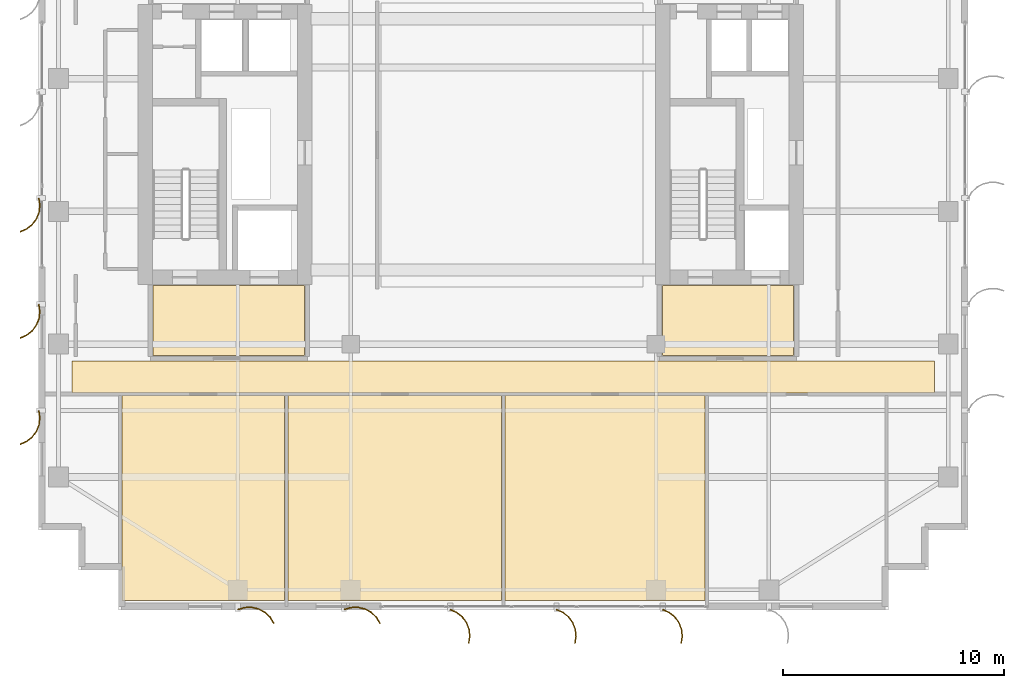
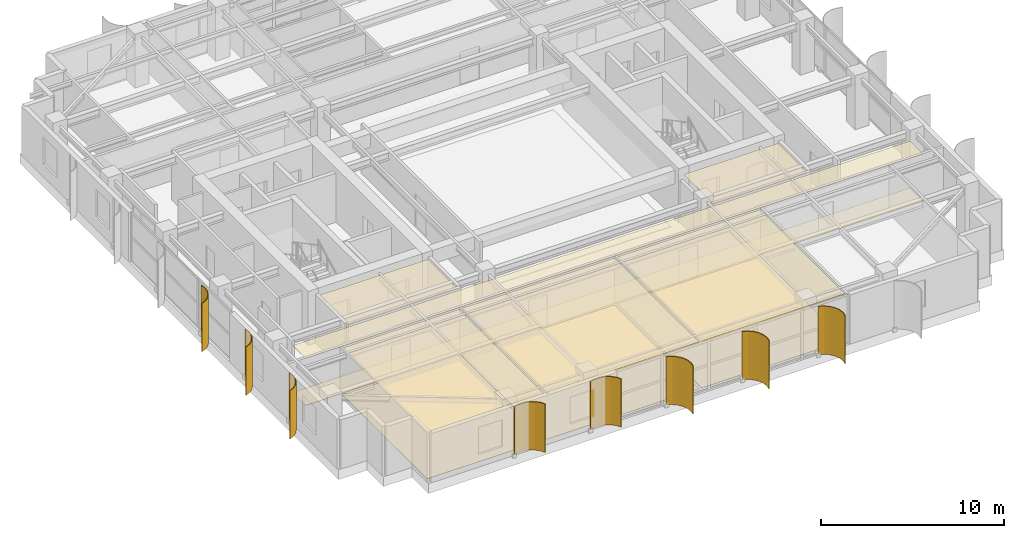
# One storey, part 23 of 25: 10 coverings, 8 shading devices.
"""IFC4 building model written with IfcOpenShell, lengths in metres."""

import ifcopenshell
import ifcopenshell.guid

model = None  # the IFC model being written
_history = None  # IfcOwnerHistory: only IFC2X3 demands one
_inside = {}  # id of a spatial element -> (the spatial element, [elements in it])
_under = {}  # id of a project, library or spatial element -> (it, [spatial elements below it])
_declared = {}  # id of a project -> (the project, [libraries it declares])
_typed = {}  # id of a type object -> (the type object, [elements of that type])
_made_of = {}  # id of a material, layer set ... -> (it, [elements and type objects made of it])


def new_model(schema):
    """Start an empty IFC model of exactly this schema.

    Asked for "IFC4X3", IfcOpenShell would pick the latest addendum, in which some entities
    have other attributes; the version numbers below select the first issue.
    IFC2X3 requires an IfcOwnerHistory on every rooted entity: one is made here for all.
    """
    global model, _history
    if schema == "IFC4X3":
        model = ifcopenshell.file(schema_version=(4, 3, 0, 0))
    else:
        model = ifcopenshell.file(schema=schema)
    _inside.clear()
    _under.clear()
    _declared.clear()
    _typed.clear()
    _made_of.clear()
    _history = None
    if model.schema == "IFC2X3":
        org = make("IfcOrganization", Name="unknown")
        user = make(
            "IfcPersonAndOrganization",
            ThePerson=make("IfcPerson", FamilyName="unknown"),
            TheOrganization=org,
        )
        app = make(
            "IfcApplication",
            ApplicationDeveloper=org,
            Version="unknown",
            ApplicationFullName="unknown",
            ApplicationIdentifier="unknown",
        )
        _history = make(
            "IfcOwnerHistory",
            OwningUser=user,
            OwningApplication=app,
            ChangeAction="ADDED",
            CreationDate=0,
        )
    return model


def make(cls, **values):
    """One entity of the class cls with the attributes given. An attribute that is None is left unset."""
    return model.create_entity(
        cls, **{name: value for name, value in values.items() if value is not None}
    )


def rooted(cls, **values):
    """An entity with a GlobalId (a new one), such as an element, a storey or a relation."""
    return make(cls, GlobalId=ifcopenshell.guid.new(), OwnerHistory=_history, **values)


def si_unit(unit_type, name, prefix=None):
    """IfcSIUnit, for example si_unit("LENGTHUNIT", "METRE", prefix="MILLI")."""
    return make("IfcSIUnit", UnitType=unit_type, Prefix=prefix, Name=name)


def assignment(units):
    """IfcUnitAssignment: the units of a project."""
    return None if units is None else make("IfcUnitAssignment", Units=units)


def point(xyz):
    """IfcCartesianPoint."""
    return None if xyz is None else make("IfcCartesianPoint", Coordinates=xyz)


def direction(xyz):
    """IfcDirection."""
    return None if xyz is None else make("IfcDirection", DirectionRatios=xyz)


def frame(location, z_axis=None, x_axis=None):
    """IfcAxis2Placement3D, a coordinate frame: its origin and axes. An axis left out is left unset."""
    return make(
        "IfcAxis2Placement3D",
        Location=point(location),
        Axis=direction(z_axis),
        RefDirection=direction(x_axis),
    )


def origin():
    """The frame at (0, 0, 0) with its axes left unset."""
    return frame((0.0, 0.0, 0.0))


def place(relative_to, where):
    """IfcLocalPlacement: puts the frame where relative to a parent placement (None: the world)."""
    return make(
        "IfcLocalPlacement", PlacementRelTo=relative_to, RelativePlacement=where
    )


def context(
    kind, dimensions, precision=None, world=None, true_north=None, identifier=None
):
    """IfcGeometricRepresentationContext, for example the 3D "Model" context."""
    return make(
        "IfcGeometricRepresentationContext",
        ContextIdentifier=identifier,
        ContextType=kind,
        CoordinateSpaceDimension=dimensions,
        Precision=precision,
        WorldCoordinateSystem=world,
        TrueNorth=true_north,
    )


def subcontext(parent, identifier, kind, view, scale=None):
    """IfcGeometricRepresentationSubContext, for example "Body" below "Model"."""
    return make(
        "IfcGeometricRepresentationSubContext",
        ContextIdentifier=identifier,
        ContextType=kind,
        ParentContext=parent,
        TargetScale=scale,
        TargetView=view,
    )


def project(units=None, contexts=None):
    """IfcProject with its units and contexts."""
    return rooted(
        "IfcProject",
        Name="project",
        RepresentationContexts=contexts,
        UnitsInContext=assignment(units),
    )


def spatial(cls, under=None, at=None, **own):
    """A site, building, storey or space (cls), placed at a placement, below another one or the project."""
    s = rooted(cls, ObjectPlacement=at, **own)
    if under is not None:
        _under.setdefault(under.id(), (under, []))[1].append(s)
    return s


def polyline(points):
    """IfcPolyline through the points."""
    return make("IfcPolyline", Points=[point(p) for p in points])


def outline(outer, holes=None, kind="AREA"):
    """IfcArbitraryClosedProfileDef: a profile drawn as a closed curve; with holes, ...WithVoids."""
    if holes is None:
        return make("IfcArbitraryClosedProfileDef", ProfileType=kind, OuterCurve=outer)
    return make(
        "IfcArbitraryProfileDefWithVoids",
        ProfileType=kind,
        OuterCurve=outer,
        InnerCurves=holes,
    )


def extrude(swept, where, along, depth):
    """IfcExtrudedAreaSolid: the profile swept, set in the frame where, extruded along a direction by depth."""
    return make(
        "IfcExtrudedAreaSolid",
        SweptArea=swept,
        Position=where,
        ExtrudedDirection=direction(along),
        Depth=depth,
    )


def shape(context_of_items, identifier, shape_type, items):
    """IfcShapeRepresentation: the items that make up one representation, for example the "Body"."""
    return make(
        "IfcShapeRepresentation",
        ContextOfItems=context_of_items,
        RepresentationIdentifier=identifier,
        RepresentationType=shape_type,
        Items=items,
    )


def source(mapping_origin, context_of_items, identifier, shape_type, items):
    """IfcRepresentationMap: a shape defined once, which mapped items show again and again."""
    return make(
        "IfcRepresentationMap",
        MappingOrigin=mapping_origin,
        MappedRepresentation=shape(context_of_items, identifier, shape_type, items),
    )


def transform(
    local_origin,
    x_axis=None,
    y_axis=None,
    z_axis=None,
    scale=None,
    scale2=None,
    scale3=None,
    uniform=True,
):
    """IfcCartesianTransformationOperator3D, or its non-uniform kind. x_axis, y_axis, z_axis: its Axis1, 2, 3."""
    if uniform:
        return make(
            "IfcCartesianTransformationOperator3D",
            Axis1=direction(x_axis),
            Axis2=direction(y_axis),
            LocalOrigin=point(local_origin),
            Scale=scale,
            Axis3=direction(z_axis),
        )
    return make(
        "IfcCartesianTransformationOperator3DnonUniform",
        Axis1=direction(x_axis),
        Axis2=direction(y_axis),
        LocalOrigin=point(local_origin),
        Scale=scale,
        Axis3=direction(z_axis),
        Scale2=scale2,
        Scale3=scale3,
    )


def mapped(mapping_source, mapping_target):
    """IfcMappedItem: shows the shape of a source again, moved by a transform."""
    return make(
        "IfcMappedItem", MappingSource=mapping_source, MappingTarget=mapping_target
    )


def material(Name=None, Category=None):
    """IfcMaterial."""
    return make("IfcMaterial", Name=Name, Category=Category)


def layer(
    of_material, thickness, ventilated=None, Name=None, Category=None, Priority=None
):
    """IfcMaterialLayer: one layer of a wall or slab, of a material (None: an air gap)."""
    return make(
        "IfcMaterialLayer",
        Material=of_material,
        LayerThickness=thickness,
        IsVentilated=ventilated,
        Name=Name,
        Category=Category,
        Priority=Priority,
    )


def layer_set(layers, Name=None):
    """IfcMaterialLayerSet."""
    return make("IfcMaterialLayerSet", MaterialLayers=layers, LayerSetName=Name)


def made_of(thing, what):
    """Note that an element or type object is made of a material, layer set ...; save() writes the relation."""
    if what is not None:
        _made_of.setdefault(what.id(), (what, []))[1].append(thing)
    return thing


def type_object(cls, material=None, **own):
    """A type object (cls), such as IfcWallType, which elements share."""
    return made_of(rooted(cls, **own), material)


def element(
    cls,
    number,
    at=None,
    inside=None,
    cuts=None,
    type_object=None,
    material=None,
    context=None,
    identifier="Body",
    shape_type=None,
    held_by="IfcProductDefinitionShape",
    body=None,
    shapes=None,
    **own,
):
    """One element of the class cls, such as IfcWall. Its Tag is "e" and its number.

    at: its placement. inside: the storey or other place that contains it. cuts: it is an
    opening in that element (IfcRelVoidsElement). A single representation is given by context,
    identifier, shape_type and body (its items); several are given by shapes. held_by: the class
    of the entity that holds the representations. save() writes the other relations.
    """
    e = rooted(cls, Tag="e%d" % number, ObjectPlacement=at, **own)
    if body is not None:
        shapes = [shape(context, identifier, shape_type, body)]
    if shapes is not None:
        e.Representation = make(held_by, Representations=shapes)
    if inside is not None:
        _inside.setdefault(inside.id(), (inside, []))[1].append(e)
    if cuts is not None:
        rooted(
            "IfcRelVoidsElement", RelatingBuildingElement=cuts, RelatedOpeningElement=e
        )
    if type_object is not None:
        _typed.setdefault(type_object.id(), (type_object, []))[1].append(e)
    return made_of(e, material)


def aggregate(whole, parts):
    """IfcRelAggregates: a whole, such as a stair, and the parts it consists of."""
    return rooted("IfcRelAggregates", RelatingObject=whole, RelatedObjects=parts)


def save(model, path):
    """Write the relations noted so far, then the file.

    IfcRelAggregates (storeys below a building ...), IfcRelContainedInSpatialStructure (elements
    in a storey), IfcRelDefinesByType, IfcRelAssociatesMaterial and IfcRelDeclares: one each for
    every whole, place, type object, material and project.
    """
    for whole, parts in _under.values():
        aggregate(whole, parts)
    for where, things in _inside.values():
        rooted(
            "IfcRelContainedInSpatialStructure",
            RelatedElements=things,
            RelatingStructure=where,
        )
    for kind, things in _typed.values():
        rooted("IfcRelDefinesByType", RelatedObjects=things, RelatingType=kind)
    for what, things in _made_of.values():
        rooted("IfcRelAssociatesMaterial", RelatedObjects=things, RelatingMaterial=what)
    for by, libraries in _declared.values():
        rooted("IfcRelDeclares", RelatingContext=by, RelatedDefinitions=libraries)
    model.write(path)


model = new_model("IFC4")

# Units and contexts
model_context = context("Model", 3, precision=1e-05, world=origin(), true_north=direction((0.0, 1.0)))
body_context = subcontext(model_context, "Body", "Model", "MODEL_VIEW")
ifc_project = project(units=[si_unit("LENGTHUNIT", "METRE"), si_unit("AREAUNIT", "SQUARE_METRE"), si_unit("VOLUMEUNIT", "CUBIC_METRE"), si_unit("PLANEANGLEUNIT", "RADIAN"), si_unit("MASSUNIT", "GRAM", prefix="KILO")], contexts=[model_context])

# Site, building, storey
site_placement = place(None, origin())
site = spatial("IfcSite", under=ifc_project, at=site_placement, CompositionType="ELEMENT")
building_placement = place(site_placement, origin())
building = spatial("IfcBuilding", under=site, at=building_placement, Name="Khoralis Quay Care Tower", CompositionType="ELEMENT")
storey_placement = place(building_placement, frame((0.0, 0.0, 216.89990234375)))
storey = spatial("IfcBuildingStorey", under=building, at=storey_placement, Name="L57", CompositionType="ELEMENT", Elevation=216.89990234375)

# Coverings
ifc_material_1 = material(Name="Mineral-fibre acoustic ceiling tile")
ifc_layer_1 = layer(ifc_material_1, 0.01806640625)
ifc_layer_set_1 = layer_set([ifc_layer_1], Name="Mineral-fibre acoustic ceiling tile")
covering_type_1 = type_object("IfcCoveringType", Name="COV-CEIL-AC18", PredefinedType="CEILING", material=ifc_layer_set_1)
covering_1_placement = place(storey_placement, frame((0.0, 0.0, 3.132080078125)))
element("IfcCovering", 1, at=covering_1_placement, inside=storey, type_object=covering_type_1, Name="Suspended Acoustic Ceiling SP-L57-FFLOB-W", PredefinedType="CEILING", context=body_context, shape_type="SweptSolid", body=[
    extrude(outline(polyline([(8.179931640625, 11.47998046875), (15.02001953125, 11.47998046875), (15.02001953125, 14.64990234375), (8.179931640625, 14.64990234375), (8.179931640625, 11.47998046875)])), origin(), (0.0, 0.0, 1.0), 0.01806640625),
])
covering_2_placement = place(storey_placement, frame((0.0, 0.0, 3.132080078125)))
element("IfcCovering", 2, at=covering_2_placement, inside=storey, type_object=covering_type_1, Name="Suspended Acoustic Ceiling SP-L57-FFLOB-E", PredefinedType="CEILING", context=body_context, shape_type="SweptSolid", body=[
    extrude(outline(polyline([(31.179931640625, 11.47998046875), (37.1201171875, 11.47998046875), (37.1201171875, 14.64990234375), (31.179931640625, 14.64990234375), (31.179931640625, 11.47998046875)])), origin(), (0.0, 0.0, 1.0), 0.01806640625),
])
covering_3_placement = place(storey_placement, frame((0.0, 0.0, 3.132080078125)))
element("IfcCovering", 3, at=covering_3_placement, inside=storey, type_object=covering_type_1, Name="Suspended Acoustic Ceiling SP-L57-CORR-MAIN", PredefinedType="CEILING", context=body_context, shape_type="SweptSolid", body=[
    extrude(outline(polyline([(4.52001953125, 9.7900390625), (43.47998046875, 9.7900390625), (43.47998046875, 11.239990234375), (4.52001953125, 11.239990234375), (4.52001953125, 9.7900390625)])), origin(), (0.0, 0.0, 1.0), 0.01806640625),
])
covering_4_placement = place(storey_placement, frame((0.0, 0.0, 3.132080078125)))
element("IfcCovering", 4, at=covering_4_placement, inside=storey, type_object=covering_type_1, Name="Suspended Acoustic Ceiling SP-L57-SB-COM0", PredefinedType="CEILING", context=body_context, shape_type="SweptSolid", body=[
    extrude(outline(polyline([(6.760009765625, 0.419921875), (14.1201171875, 0.419921875), (14.1201171875, 9.669921875), (6.760009765625, 9.669921875), (6.760009765625, 0.419921875)])), origin(), (0.0, 0.0, 1.0), 0.01806640625),
])
covering_5_placement = place(storey_placement, frame((0.0, 0.0, 3.132080078125)))
element("IfcCovering", 5, at=covering_5_placement, inside=storey, type_object=covering_type_1, Name="Suspended Acoustic Ceiling SP-L57-SB-COM1", PredefinedType="CEILING", context=body_context, shape_type="SweptSolid", body=[
    extrude(outline(polyline([(14.280029296875, 0.419921875), (23.919921875, 0.419921875), (23.919921875, 9.669921875), (14.280029296875, 9.669921875), (14.280029296875, 0.419921875)])), origin(), (0.0, 0.0, 1.0), 0.01806640625),
])
covering_6_placement = place(storey_placement, frame((0.0, 0.0, 3.132080078125)))
element("IfcCovering", 6, at=covering_6_placement, inside=storey, type_object=covering_type_1, Name="Suspended Acoustic Ceiling SP-L57-SB-COM2", PredefinedType="CEILING", context=body_context, shape_type="SweptSolid", body=[
    extrude(outline(polyline([(24.080078125, 0.419921875), (33.1201171875, 0.419921875), (33.1201171875, 9.669921875), (24.080078125, 9.669921875), (24.080078125, 0.419921875)])), origin(), (0.0, 0.0, 1.0), 0.01806640625),
])
ifc_material_2 = material(Name="Porcelain and non-slip vinyl flooring")
ifc_layer_2 = layer(ifc_material_2, 0.02001953125)
ifc_layer_set_2 = layer_set([ifc_layer_2], Name="Porcelain and non-slip vinyl flooring")
covering_type_2 = type_object("IfcCoveringType", Name="COV-FLOOR-20", PredefinedType="FLOORING", material=ifc_layer_set_2)
covering_7_placement = place(storey_placement, origin())
element("IfcCovering", 7, at=covering_7_placement, inside=storey, type_object=covering_type_2, Name="Resilient Healthcare Flooring SP-L57-CORR-MAIN", PredefinedType="FLOORING", context=body_context, shape_type="SweptSolid", body=[
    extrude(outline(polyline([(4.52001953125, 9.7900390625), (43.47998046875, 9.7900390625), (43.47998046875, 11.239990234375), (4.52001953125, 11.239990234375), (4.52001953125, 9.7900390625)])), origin(), (0.0, 0.0, 1.0), 0.02001953125),
])
covering_8_placement = place(storey_placement, origin())
element("IfcCovering", 8, at=covering_8_placement, inside=storey, type_object=covering_type_2, Name="Resilient Healthcare Flooring SP-L57-SB-COM0", PredefinedType="FLOORING", context=body_context, shape_type="SweptSolid", body=[
    extrude(outline(polyline([(6.760009765625, 0.419921875), (14.1201171875, 0.419921875), (14.1201171875, 9.669921875), (6.760009765625, 9.669921875), (6.760009765625, 0.419921875)])), origin(), (0.0, 0.0, 1.0), 0.02001953125),
])
covering_9_placement = place(storey_placement, origin())
element("IfcCovering", 9, at=covering_9_placement, inside=storey, type_object=covering_type_2, Name="Resilient Healthcare Flooring SP-L57-SB-COM1", PredefinedType="FLOORING", context=body_context, shape_type="SweptSolid", body=[
    extrude(outline(polyline([(14.280029296875, 0.419921875), (23.919921875, 0.419921875), (23.919921875, 9.669921875), (14.280029296875, 9.669921875), (14.280029296875, 0.419921875)])), origin(), (0.0, 0.0, 1.0), 0.02001953125),
])
covering_10_placement = place(storey_placement, origin())
element("IfcCovering", 10, at=covering_10_placement, inside=storey, type_object=covering_type_2, Name="Resilient Healthcare Flooring SP-L57-SB-COM2", PredefinedType="FLOORING", context=body_context, shape_type="SweptSolid", body=[
    extrude(outline(polyline([(24.080078125, 0.419921875), (33.1201171875, 0.419921875), (33.1201171875, 9.669921875), (24.080078125, 9.669921875), (24.080078125, 0.419921875)])), origin(), (0.0, 0.0, 1.0), 0.02001953125),
])

# Shading devices
ifc_material_3 = material(Name="Brushed pale anodised aluminium", Category="aluminium")
ifc_layer_3 = layer(ifc_material_3, 0.044921875)
ifc_layer_set_3 = layer_set([ifc_layer_3], Name="Brushed pale anodised aluminium")
shading_device_type = type_object("IfcShadingDeviceType", Name="SHD-FIN-1250", PredefinedType="USERDEFINED", material=ifc_layer_set_3)
shared_shape_1 = source(origin(), body_context, "Body", "SweptSolid", [
    extrude(outline(polyline([(0.0, 0.0), (-0.04833984375, 0.32275390625), (-0.01123046875, 0.64697265625), (0.1083984375, 0.950439453125), (0.302490234375, 1.212890625), (0.557861328125, 1.416015625), (0.85693359375, 1.546142578125), (0.869384765625, 1.5029296875), (0.5810546875, 1.37744140625), (0.334716796875, 1.181640625), (0.147705078125, 0.9287109375), (0.032470703125, 0.635986328125), (-0.003173828125, 0.323486328125), (0.043212890625, 0.012451171875), (0.0, 0.0)])), origin(), (0.0, 0.0, 1.0), 3.219970703125),
])
for number, where, z_axis, x_axis, name in (
    (11, (3.030029296875, 18.60009765625, 0.02001953125), (0.0, 0.0, 1.0), (-1.0, 0.0, 0.0), "L57 Curved Solar Fin P1E15-04"),
    (12, (3.030029296875, 13.800048828125, 0.02001953125), (0.0, 0.0, 1.0), (-1.0, 0.0, 0.0), "L57 Curved Solar Fin P1E15-05"),
    (13, (3.030029296875, 9.0, 0.02001953125), (0.0, 0.0, 1.0), (-1.0, 0.0, 0.0), "L57 Curved Solar Fin P1E15-06"),
):
    element("IfcShadingDevice", number, at=place(storey_placement, frame(where, z_axis=z_axis, x_axis=x_axis)), inside=storey, type_object=shading_device_type, Name=name, ObjectType="FIN", PredefinedType="USERDEFINED", context=body_context, shape_type="MappedRepresentation", body=[
        mapped(shared_shape_1, transform((0.0, 0.0, 0.0), scale=1.0)),
    ])
shared_shape_2 = source(origin(), body_context, "Body", "SweptSolid", [
    extrude(outline(polyline([(0.0, 0.0), (-0.0927734375, 0.31298828125), (-0.101318359375, 0.63916015625), (-0.025146484375, 0.956298828125), (0.130615234375, 1.2431640625), (0.355224609375, 1.479736328125), (0.633544921875, 1.650390625), (0.65185546875, 1.609130859375), (0.383544921875, 1.44482421875), (0.1669921875, 1.216796875), (0.01708984375, 0.940185546875), (-0.056396484375, 0.63427734375), (-0.04833984375, 0.31982421875), (0.041015625, 0.018310546875), (0.0, 0.0)])), origin(), (0.0, 0.0, 1.0), 3.219970703125),
])
for number, where, z_axis, x_axis, name in (
    (14, (12.0, 0.030029296875, 0.02001953125), (0.0, 0.0, 1.0), (0.0, -1.0, 0.0), "L57 Curved Solar Fin P1E0-01"),
    (15, (16.800048828125, 0.030029296875, 0.02001953125), (0.0, 0.0, 1.0), (0.0, -1.0, 0.0), "L57 Curved Solar Fin P1E0-02"),
):
    element("IfcShadingDevice", number, at=place(storey_placement, frame(where, z_axis=z_axis, x_axis=x_axis)), inside=storey, type_object=shading_device_type, Name=name, ObjectType="FIN", PredefinedType="USERDEFINED", context=body_context, shape_type="MappedRepresentation", body=[
        mapped(shared_shape_2, transform((0.0, 0.0, 0.0), scale=1.0)),
    ])
shared_shape_3 = source(origin(), body_context, "Body", "SweptSolid", [
    extrude(outline(polyline([(0.0, 0.0), (0.130126953125, 0.29931640625), (0.333251953125, 0.5546875), (0.595458984375, 0.748779296875), (0.899169921875, 0.868408203125), (1.223388671875, 0.9052734375), (1.546142578125, 0.85693359375), (1.53369140625, 0.813720703125), (1.22265625, 0.8603515625), (0.91015625, 0.82470703125), (0.617431640625, 0.70947265625), (0.364501953125, 0.522216796875), (0.168701171875, 0.276123046875), (0.043212890625, -0.012451171875), (0.0, 0.0)])), origin(), (0.0, 0.0, 1.0), 3.219970703125),
])
for number, where, z_axis, x_axis, name in (
    (16, (21.60009765625, 0.030029296875, 0.02001953125), (0.0, 0.0, 1.0), (0.0, -1.0, 0.0), "L57 Curved Solar Fin P1E0-03"),
    (17, (26.39990234375, 0.030029296875, 0.02001953125), (0.0, 0.0, 1.0), (0.0, -1.0, 0.0), "L57 Curved Solar Fin P1E0-04"),
    (18, (31.199951171875, 0.030029296875, 0.02001953125), (0.0, 0.0, 1.0), (0.0, -1.0, 0.0), "L57 Curved Solar Fin P1E0-05"),
):
    element("IfcShadingDevice", number, at=place(storey_placement, frame(where, z_axis=z_axis, x_axis=x_axis)), inside=storey, type_object=shading_device_type, Name=name, ObjectType="FIN", PredefinedType="USERDEFINED", context=body_context, shape_type="MappedRepresentation", body=[
        mapped(shared_shape_3, transform((0.0, 0.0, 0.0), scale=1.0)),
    ])

save(model, "model.ifc")
